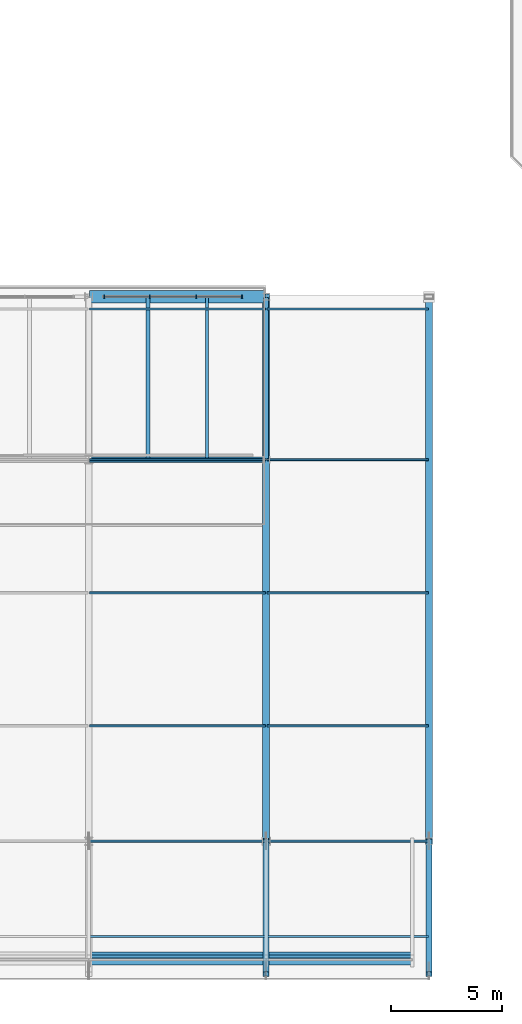
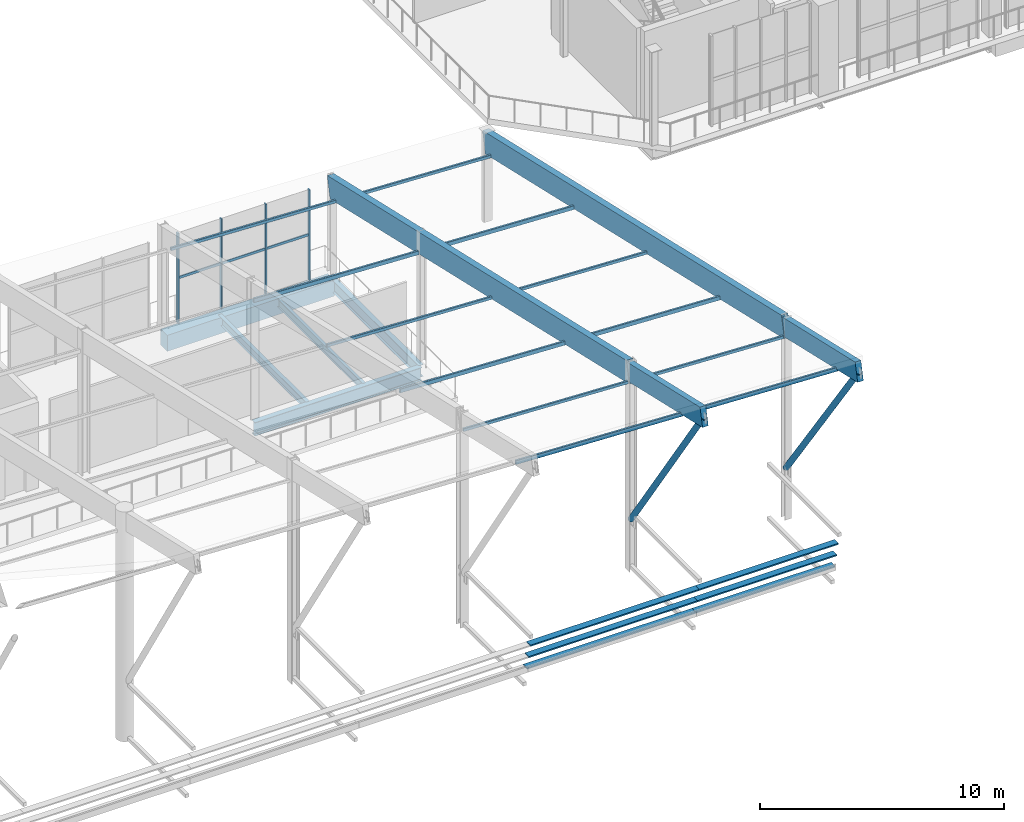
# One storey, part 16 of 51: 27 members, 9 beams, 1 element without a shape of its own.
"""IFC4 building model written with IfcOpenShell, lengths in metres."""

from ifc_helpers import new_model, si_unit, direction, frame, origin, origin_2d, place, context, subcontext, project, spatial, rectangle, hollow_rectangle, hollow_circle, i_section, extrude, material, material_profile, profile_set, type_object, element, aggregate, save


model = new_model("IFC4")

# Units and contexts
model_context = context("Model", 3, precision=1e-05, world=origin(), true_north=direction((0.0, 1.0)))
body_context = subcontext(model_context, "Body", "Model", "MODEL_VIEW")
ifc_project = project(units=[si_unit("LENGTHUNIT", "METRE"), si_unit("AREAUNIT", "SQUARE_METRE"), si_unit("VOLUMEUNIT", "CUBIC_METRE"), si_unit("PLANEANGLEUNIT", "RADIAN"), si_unit("MASSUNIT", "GRAM", prefix="KILO")], contexts=[model_context])

# Site, building, storey
site_placement = place(None, origin())
site = spatial("IfcSite", under=ifc_project, at=site_placement, CompositionType="ELEMENT")
building_placement = place(site_placement, origin())
building = spatial("IfcBuilding", under=site, at=building_placement, Name="Brisemont Oceanarium", CompositionType="ELEMENT")
storey_placement = place(building_placement, frame((0.0, 0.0, 15.0)))
storey = spatial("IfcBuildingStorey", under=building, at=storey_placement, Name="L03", CompositionType="ELEMENT", Elevation=15.0)

# Beams
ifc_material_1 = material(Name="Glulam Timber 24F-V4 DF", Category="wood")
ifc_material_profile_1 = material_profile(ifc_material_1, rectangle(XDim=0.27294921875, YDim=0.9140625, at=origin_2d()), Name="GL-273X914")
ifc_profile_set_1 = profile_set([ifc_material_profile_1], Name="Glulam Timber 24F-V4 DF")
beam_type_1 = type_object("IfcBeamType", Name="BM-GL273X914", PredefinedType="BEAM", material=ifc_profile_set_1)
for number, where, z_axis, x_axis, name in (
    (1, (48.0, 0.800048828125, 11.27490234375), (0.0, 0.974792736312, -0.223112351146), (-1.0, 0.0, 0.0), "V2 upswept hall cantilevered prow rafter 6"),
    (2, (55.35009765625, 0.800048828125, 10.9609375), (0.0, 0.974784109113, -0.223150040603), (-1.0, 0.0, 0.0), "V2 upswept hall cantilevered prow rafter 7"),
):
    element("IfcBeam", number, at=place(storey_placement, frame(where, z_axis=z_axis, x_axis=x_axis)), inside=storey, type_object=beam_type_1, Name=name, PredefinedType="BEAM", context=body_context, shape_type="SweptSolid", body=[
        extrude(rectangle(XDim=0.27294921875, YDim=0.9140625, at=origin_2d()), origin(), (0.0, 0.0, 1.0), 6.1552734375),
    ])
ifc_material_2 = material(Name="Glulam Timber 24F-V4 DF", Category="wood")
ifc_material_profile_2 = material_profile(ifc_material_2, rectangle(XDim=0.31103515625, YDim=1.06689453125, at=origin_2d()), Name="GL-311X1067")
ifc_profile_set_2 = profile_set([ifc_material_profile_2], Name="Glulam Timber 24F-V4 DF")
beam_type_2 = type_object("IfcBeamType", Name="BM-GL311X1067", PredefinedType="BEAM", material=ifc_profile_set_2)
for number, where, z_axis, x_axis, name in (
    (3, (48.0, 6.800048828125, 9.901611328125), (0.0, 0.974789933818, -0.223124595072), (-1.0, 0.0, 0.0), "V2 upswept hall exposed glulam main rafter 6"),
    (4, (55.35009765625, 6.800048828125, 9.58740234375), (0.0, 0.974789933818, -0.223124595072), (-1.0, 0.0, 0.0), "V2 upswept hall exposed glulam main rafter 7"),
):
    element("IfcBeam", number, at=place(storey_placement, frame(where, z_axis=z_axis, x_axis=x_axis)), inside=storey, type_object=beam_type_2, Name=name, PredefinedType="BEAM", context=body_context, shape_type="SweptSolid", body=[
        extrude(rectangle(XDim=0.31103515625, YDim=1.06689453125, at=origin_2d()), origin(), (0.0, 0.0, 1.0), 25.18505859375),
    ])
ifc_material_3 = material(Name="Concrete C40/50", Category="concrete")
ifc_material_profile_3 = material_profile(ifc_material_3, rectangle(XDim=0.550048828125, YDim=0.800048828125, at=origin_2d()), Name="RC-BM-550X800")
ifc_profile_set_3 = profile_set([ifc_material_profile_3], Name="Concrete C40/50")
beam_type_3 = type_object("IfcBeamType", Name="BM-RC550X800", PredefinedType="SPANDREL", material=ifc_profile_set_3)
beam_1_placement = place(storey_placement, frame((40.0400390625, 31.35009765625, -0.639892578125), z_axis=(1.0, 0.0, 0.0), x_axis=(0.0, 1.0, 0.0)))
element("IfcBeam", 5, at=beam_1_placement, inside=storey, type_object=beam_type_3, Name="V2 L03 EW girder", PredefinedType="SPANDREL", context=body_context, shape_type="SweptSolid", body=[
    extrude(rectangle(XDim=0.550048828125, YDim=0.800048828125, at=origin_2d()), origin(), (0.0, 0.0, 1.0), 7.919921875),
])
ifc_material_4 = material(Name="Structural Steel ASTM A992 Gr.50", Category="steel")
ifc_material_profile_4 = material_profile(ifc_material_4, i_section(OverallWidth=0.139892578125, OverallDepth=0.39892578125, WebThickness=0.00634765625, FlangeThickness=0.0087890625, FilletRadius=0.010009765625, at=origin_2d()), Name="W16X26")
ifc_profile_set_4 = profile_set([ifc_material_profile_4], Name="Structural Steel ASTM A992 Gr.50")
beam_type_4 = type_object("IfcBeamType", Name="BM-W16X26", PredefinedType="JOIST", material=ifc_profile_set_4)
beam_2_placement = place(storey_placement, frame((45.333251953125, 24.090087890625, -0.439453125), z_axis=(0.0, 1.0, 0.0), x_axis=(-1.0, 0.0, 0.0)))
element("IfcBeam", 6, at=beam_2_placement, inside=storey, type_object=beam_type_4, Name="V2 L03 secondary floor beam", PredefinedType="JOIST", context=body_context, shape_type="SweptSolid", body=[
    extrude(i_section(OverallWidth=0.139892578125, OverallDepth=0.39892578125, WebThickness=0.00634765625, FlangeThickness=0.0087890625, FilletRadius=0.010009765625, at=origin_2d()), origin(), (0.0, 0.0, 1.0), 7.219970703125),
])
ifc_material_5 = material(Name="Structural Steel ASTM A992 Gr.50", Category="steel")
ifc_material_profile_5 = material_profile(ifc_material_5, i_section(OverallWidth=0.177978515625, OverallDepth=0.404052734375, WebThickness=0.007568359375, FlangeThickness=0.010986328125, FilletRadius=0.010009765625, at=origin_2d()), Name="W16X36")
ifc_profile_set_5 = profile_set([ifc_material_profile_5], Name="Structural Steel ASTM A992 Gr.50")
beam_type_5 = type_object("IfcBeamType", Name="BM-W16X36", PredefinedType="JOIST", material=ifc_profile_set_5)
beam_3_placement = place(storey_placement, frame((42.666748046875, 24.090087890625, -0.44189453125), z_axis=(0.0, 1.0, 0.0), x_axis=(-1.0, 0.0, 0.0)))
element("IfcBeam", 7, at=beam_3_placement, inside=storey, type_object=beam_type_5, Name="V2 L03 secondary floor beam", PredefinedType="JOIST", context=body_context, shape_type="SweptSolid", body=[
    extrude(i_section(OverallWidth=0.177978515625, OverallDepth=0.404052734375, WebThickness=0.007568359375, FlangeThickness=0.010986328125, FilletRadius=0.010009765625, at=origin_2d()), origin(), (0.0, 0.0, 1.0), 7.219970703125),
])
ifc_material_6 = material(Name="Structural Steel ASTM A992 Gr.50", Category="steel")
ifc_material_profile_6 = material_profile(ifc_material_6, i_section(OverallWidth=0.22802734375, OverallDepth=0.60791015625, WebThickness=0.01123046875, FlangeThickness=0.017333984375, FilletRadius=0.012939453125, at=origin_2d()), Name="W24X76")
ifc_profile_set_6 = profile_set([ifc_material_profile_6], Name="Structural Steel ASTM A992 Gr.50")
beam_type_6 = type_object("IfcBeamType", Name="BM-W24X76", PredefinedType="BEAM", material=ifc_profile_set_6)
beam_4_placement = place(storey_placement, frame((48.0, 24.0400390625, -0.5439453125), z_axis=(0.0, 1.0, 0.0), x_axis=(-1.0, 0.0, 0.0)))
element("IfcBeam", 8, at=beam_4_placement, inside=storey, type_object=beam_type_6, Name="V2 L03 NS girder", PredefinedType="BEAM", context=body_context, shape_type="SweptSolid", body=[
    extrude(i_section(OverallWidth=0.22802734375, OverallDepth=0.60791015625, WebThickness=0.01123046875, FlangeThickness=0.017333984375, FilletRadius=0.012939453125, at=origin_2d()), origin(), (0.0, 0.0, 1.0), 7.27001953125),
])
ifc_material_7 = material(Name="Structural Steel ASTM A992 Gr.50", Category="steel")
ifc_material_profile_7 = material_profile(ifc_material_7, i_section(OverallWidth=0.25390625, OverallDepth=0.68310546875, WebThickness=0.012451171875, FlangeThickness=0.018798828125, FilletRadius=0.014892578125, at=origin_2d()), Name="W27X94")
ifc_profile_set_7 = profile_set([ifc_material_profile_7], Name="Structural Steel ASTM A992 Gr.50")
beam_type_7 = type_object("IfcBeamType", Name="BM-W27X94", PredefinedType="BEAM", material=ifc_profile_set_7)
beam_5_placement = place(storey_placement, frame((40.0400390625, 24.0, -0.58154296875), z_axis=(1.0, 0.0, 0.0), x_axis=(0.0, 1.0, 0.0)))
element("IfcBeam", 9, at=beam_5_placement, inside=storey, type_object=beam_type_7, Name="V2 L03 EW girder", PredefinedType="BEAM", context=body_context, shape_type="SweptSolid", body=[
    extrude(i_section(OverallWidth=0.25390625, OverallDepth=0.68310546875, WebThickness=0.012451171875, FlangeThickness=0.018798828125, FilletRadius=0.014892578125, at=origin_2d()), origin(), (0.0, 0.0, 1.0), 7.919921875),
])

# Curtain wall, members
ifc_material_8 = material(Name="Anodized Extruded Aluminum 6063-T6", Category="aluminium")
curtain_wall_type = type_object("IfcCurtainWallType", Name="CW-CLR-58X36", PredefinedType="NOTDEFINED", material=ifc_material_8)
curtain_wall_placement = place(storey_placement, origin())
curtain_wall = element("IfcCurtainWall", 10, at=curtain_wall_placement, inside=storey, type_object=curtain_wall_type, Name="CW-21 curtain wall CW-V2-N-L03-04", PredefinedType="NOTDEFINED")
ifc_material_9 = material(Name="Anodized Extruded Aluminum 6063-T6", Category="aluminium")
ifc_material_profile_8 = material_profile(ifc_material_9, rectangle(XDim=0.06005859375, YDim=0.14990234375, at=origin_2d()), Name="CWM-60X150")
ifc_profile_set_8 = profile_set([ifc_material_profile_8], Name="Anodized Extruded Aluminum 6063-T6")
member_type_1 = type_object("IfcMemberType", Name="MEM-CWM-60", PredefinedType="MULLION", material=ifc_profile_set_8)
member_1_placement = place(storey_placement, frame((40.695068359375, 31.35009765625, 0.0), z_axis=(0.0, 0.0, 1.0), x_axis=(1.0, 0.0, 0.0)))
member_1 = element("IfcMember", 11, at=member_1_placement, type_object=member_type_1, Name="CW-V2-N-L03-04 mullion 1", PredefinedType="MULLION", context=body_context, shape_type="SweptSolid", body=[
    extrude(rectangle(XDim=0.06005859375, YDim=0.14990234375, at=origin_2d()), origin(), (0.0, 0.0, 1.0), 4.52001953125),
])
member_2_placement = place(storey_placement, frame((42.75, 31.35009765625, 0.0), z_axis=(0.0, 0.0, 1.0), x_axis=(1.0, 0.0, 0.0)))
member_2 = element("IfcMember", 12, at=member_2_placement, type_object=member_type_1, Name="CW-V2-N-L03-04 mullion 2", PredefinedType="MULLION", context=body_context, shape_type="SweptSolid", body=[
    extrude(rectangle(XDim=0.06005859375, YDim=0.14990234375, at=origin_2d()), origin(), (0.0, 0.0, 1.0), 4.52001953125),
])
member_3_placement = place(storey_placement, frame((44.85009765625, 31.35009765625, 0.0), z_axis=(0.0, 0.0, 1.0), x_axis=(1.0, 0.0, 0.0)))
member_3 = element("IfcMember", 13, at=member_3_placement, type_object=member_type_1, Name="CW-V2-N-L03-04 mullion 3", PredefinedType="MULLION", context=body_context, shape_type="SweptSolid", body=[
    extrude(rectangle(XDim=0.06005859375, YDim=0.14990234375, at=origin_2d()), origin(), (0.0, 0.0, 1.0), 4.52001953125),
])
member_4_placement = place(storey_placement, frame((46.905029296875, 31.35009765625, 0.0), z_axis=(0.0, 0.0, 1.0), x_axis=(1.0, 0.0, 0.0)))
member_4 = element("IfcMember", 14, at=member_4_placement, type_object=member_type_1, Name="CW-V2-N-L03-04 mullion 4", PredefinedType="MULLION", context=body_context, shape_type="SweptSolid", body=[
    extrude(rectangle(XDim=0.06005859375, YDim=0.14990234375, at=origin_2d()), origin(), (0.0, 0.0, 1.0), 4.52001953125),
])
ifc_material_10 = material(Name="Anodized Extruded Aluminum 6063-T6", Category="aluminium")
ifc_material_profile_9 = material_profile(ifc_material_10, rectangle(XDim=0.06005859375, YDim=0.1201171875, at=origin_2d()), Name="CWT-60X120")
ifc_profile_set_9 = profile_set([ifc_material_profile_9], Name="Anodized Extruded Aluminum 6063-T6")
member_type_2 = type_object("IfcMemberType", Name="MEM-CWT-60", PredefinedType="USERDEFINED", material=ifc_profile_set_9)
member_5_placement = place(storey_placement, frame((40.6650390625, 31.35009765625, 2.260009765625), z_axis=(1.0, 0.0, 0.0), x_axis=(0.0, 1.0, 0.0)))
member_5 = element("IfcMember", 15, at=member_5_placement, type_object=member_type_2, Name="CW-V2-N-L03-04 transom 1.1", ObjectType="TRANSOM", PredefinedType="USERDEFINED", context=body_context, shape_type="SweptSolid", body=[
    extrude(rectangle(XDim=0.06005859375, YDim=0.1201171875, at=origin_2d()), origin(), (0.0, 0.0, 1.0), 2.070068359375),
])
member_6_placement = place(storey_placement, frame((42.764892578125, 31.35009765625, 2.260009765625), z_axis=(1.0, 0.0, 0.0), x_axis=(0.0, 1.0, 0.0)))
member_6 = element("IfcMember", 16, at=member_6_placement, type_object=member_type_2, Name="CW-V2-N-L03-04 transom 2.1", ObjectType="TRANSOM", PredefinedType="USERDEFINED", context=body_context, shape_type="SweptSolid", body=[
    extrude(rectangle(XDim=0.06005859375, YDim=0.1201171875, at=origin_2d()), origin(), (0.0, 0.0, 1.0), 2.070068359375),
])
member_7_placement = place(storey_placement, frame((44.864990234375, 31.35009765625, 2.260009765625), z_axis=(1.0, 0.0, 0.0), x_axis=(0.0, 1.0, 0.0)))
member_7 = element("IfcMember", 17, at=member_7_placement, type_object=member_type_2, Name="CW-V2-N-L03-04 transom 3.1", ObjectType="TRANSOM", PredefinedType="USERDEFINED", context=body_context, shape_type="SweptSolid", body=[
    extrude(rectangle(XDim=0.06005859375, YDim=0.1201171875, at=origin_2d()), origin(), (0.0, 0.0, 1.0), 2.070068359375),
])
aggregate(curtain_wall, [member_1, member_2, member_3, member_4, member_5, member_6, member_7])

# Members
ifc_material_11 = material(Name="Architectural Bronze-Anodized Cedar Composite")
ifc_material_profile_10 = material_profile(ifc_material_11, rectangle(XDim=0.320068359375, YDim=0.06494140625, at=origin_2d()), Name="LOUVRE-320X65")
ifc_profile_set_10 = profile_set([ifc_material_profile_10], Name="Architectural Bronze-Anodized Cedar Composite")
member_type_3 = type_object("IfcMemberType", Name="MEM-LV-320", PredefinedType="USERDEFINED", material=ifc_profile_set_10)
for number, where, z_axis, x_axis, name in (
    (18, (40.0, 1.63720703125, 1.030029296875), (1.0, 0.0, 0.0), (0.0, 1.0, 0.0), "V2 stepped horizontal louvre blade T6.5.1"),
    (19, (40.0, 1.505126953125, 1.679931640625), (1.0, 0.0, 0.0), (0.0, 1.0, 0.0), "V2 stepped horizontal louvre blade T6.5.2"),
    (20, (40.0, 1.372802734375, 2.330078125), (1.0, 0.0, 0.0), (0.0, 1.0, 0.0), "V2 stepped horizontal louvre blade T6.5.3"),
):
    element("IfcMember", number, at=place(storey_placement, frame(where, z_axis=z_axis, x_axis=x_axis)), inside=storey, type_object=member_type_3, Name=name, ObjectType="LOUVRE_BLADE", PredefinedType="USERDEFINED", context=body_context, shape_type="SweptSolid", body=[
        extrude(rectangle(XDim=0.320068359375, YDim=0.06494140625, at=origin_2d()), origin(), (0.0, 0.0, 1.0), 8.0),
    ])
for number, where, z_axis, x_axis, name in (
    (21, (48.0, 1.63720703125, 1.030029296875), (1.0, 0.0, 0.0), (0.0, 1.0, 0.0), "V2 stepped horizontal louvre blade T6.6.1"),
    (22, (48.0, 1.505126953125, 1.679931640625), (1.0, 0.0, 0.0), (0.0, 1.0, 0.0), "V2 stepped horizontal louvre blade T6.6.2"),
    (23, (48.0, 1.372802734375, 2.330078125), (1.0, 0.0, 0.0), (0.0, 1.0, 0.0), "V2 stepped horizontal louvre blade T6.6.3"),
):
    element("IfcMember", number, at=place(storey_placement, frame(where, z_axis=z_axis, x_axis=x_axis)), inside=storey, type_object=member_type_3, Name=name, ObjectType="LOUVRE_BLADE", PredefinedType="USERDEFINED", context=body_context, shape_type="SweptSolid", body=[
        extrude(rectangle(XDim=0.320068359375, YDim=0.06494140625, at=origin_2d()), origin(), (0.0, 0.0, 1.0), 6.60009765625),
    ])
ifc_material_12 = material(Name="Structural Steel ASTM A500 Gr.C", Category="steel")
ifc_material_profile_11 = material_profile(ifc_material_12, hollow_rectangle(XDim=0.10205078125, YDim=0.152099609375, WallThickness=0.00732421875, InnerFilletRadius=0.007568359375, OuterFilletRadius=0.014892578125, at=origin_2d()), Name="HSS6X4X5/16")
ifc_profile_set_11 = profile_set([ifc_material_profile_11], Name="Structural Steel ASTM A500 Gr.C")
member_type_4 = type_object("IfcMemberType", Name="MEM-PU-HSS6X4", PredefinedType="PURLIN", material=ifc_profile_set_11)
for number, where, z_axis, x_axis, name in (
    (24, (40.0400390625, 6.800048828125, 9.757080078125), (0.999088533543, 0.0, -0.042686088394), (0.0, 1.0, 0.0), "V2 upswept roof steel purlin 5.2"),
    (25, (40.0400390625, 18.0, 7.193603515625), (0.999087219622, 0.0, -0.042716830259), (0.0, 1.0, 0.0), "V2 upswept roof steel purlin 5.4"),
    (26, (40.0400390625, 30.800048828125, 4.263671875), (0.999088533543, 0.0, -0.042686088394), (0.0, 1.0, 0.0), "V2 upswept roof steel purlin 5.6"),
):
    element("IfcMember", number, at=place(storey_placement, frame(where, z_axis=z_axis, x_axis=x_axis)), inside=storey, type_object=member_type_4, Name=name, PredefinedType="PURLIN", context=body_context, shape_type="SweptSolid", body=[
        extrude(hollow_rectangle(XDim=0.10205078125, YDim=0.152099609375, WallThickness=0.00732421875, InnerFilletRadius=0.007568359375, OuterFilletRadius=0.014892578125, at=origin_2d()), origin(), (0.0, 0.0, 1.0), 7.92724609375),
    ])
for number, where, z_axis, x_axis, name in (
    (27, (48.0400390625, 6.800048828125, 9.415283203125), (0.999088914068, 0.0, -0.042677181097), (0.0, 1.0, 0.0), "V2 upswept roof steel purlin 6.2"),
    (28, (48.0400390625, 18.0, 6.8515625), (0.999088914068, 0.0, -0.042677181097), (0.0, 1.0, 0.0), "V2 upswept roof steel purlin 6.4"),
    (29, (48.0400390625, 30.800048828125, 3.921875), (0.999087482941, 0.0, -0.042710671159), (0.0, 1.0, 0.0), "V2 upswept roof steel purlin 6.6"),
):
    element("IfcMember", number, at=place(storey_placement, frame(where, z_axis=z_axis, x_axis=x_axis)), inside=storey, type_object=member_type_4, Name=name, PredefinedType="PURLIN", context=body_context, shape_type="SweptSolid", body=[
        extrude(hollow_rectangle(XDim=0.10205078125, YDim=0.152099609375, WallThickness=0.00732421875, InnerFilletRadius=0.007568359375, OuterFilletRadius=0.014892578125, at=origin_2d()), origin(), (0.0, 0.0, 1.0), 7.276611328125),
    ])
ifc_material_13 = material(Name="Structural Steel ASTM A500 Gr.C", Category="steel")
ifc_material_profile_12 = material_profile(ifc_material_13, hollow_rectangle(XDim=0.10205078125, YDim=0.202880859375, WallThickness=0.00732421875, InnerFilletRadius=0.007568359375, OuterFilletRadius=0.014892578125, at=origin_2d()), Name="HSS8X4X5/16")
ifc_profile_set_12 = profile_set([ifc_material_profile_12], Name="Structural Steel ASTM A500 Gr.C")
member_type_5 = type_object("IfcMemberType", Name="MEM-PU-HSS8X4", PredefinedType="PURLIN", material=ifc_profile_set_12)
for number, where, z_axis, x_axis, name in (
    (30, (40.0400390625, 2.5, 10.741455078125), (0.999088533543, 0.0, -0.042686088394), (0.0, 1.0, 0.0), "V2 upswept roof steel purlin 5.1"),
    (31, (40.0400390625, 12.0, 8.56689453125), (0.999088533543, 0.0, -0.042686088394), (0.0, 1.0, 0.0), "V2 upswept roof steel purlin 5.3"),
    (32, (40.0400390625, 24.0, 5.820068359375), (0.999088533543, 0.0, -0.042686088394), (0.0, 1.0, 0.0), "V2 upswept roof steel purlin 5.5"),
):
    element("IfcMember", number, at=place(storey_placement, frame(where, z_axis=z_axis, x_axis=x_axis)), inside=storey, type_object=member_type_5, Name=name, PredefinedType="PURLIN", context=body_context, shape_type="SweptSolid", body=[
        extrude(hollow_rectangle(XDim=0.10205078125, YDim=0.202880859375, WallThickness=0.00732421875, InnerFilletRadius=0.007568359375, OuterFilletRadius=0.014892578125, at=origin_2d()), origin(), (0.0, 0.0, 1.0), 7.92724609375),
    ])
for number, where, z_axis, x_axis, name in (
    (33, (48.0400390625, 2.5, 10.399658203125), (0.999087482941, 0.0, -0.042710671159), (0.0, 1.0, 0.0), "V2 upswept roof steel purlin 6.1"),
    (34, (48.0400390625, 12.0, 8.22509765625), (0.999088914068, 0.0, -0.042677181097), (0.0, 1.0, 0.0), "V2 upswept roof steel purlin 6.3"),
    (35, (48.0400390625, 24.0, 5.478271484375), (0.999088914068, 0.0, -0.042677181097), (0.0, 1.0, 0.0), "V2 upswept roof steel purlin 6.5"),
):
    element("IfcMember", number, at=place(storey_placement, frame(where, z_axis=z_axis, x_axis=x_axis)), inside=storey, type_object=member_type_5, Name=name, PredefinedType="PURLIN", context=body_context, shape_type="SweptSolid", body=[
        extrude(hollow_rectangle(XDim=0.10205078125, YDim=0.202880859375, WallThickness=0.00732421875, InnerFilletRadius=0.007568359375, OuterFilletRadius=0.014892578125, at=origin_2d()), origin(), (0.0, 0.0, 1.0), 7.276611328125),
    ])
ifc_material_14 = material(Name="Structural Steel ASTM A500 Gr.C", Category="steel")
ifc_material_profile_13 = material_profile(ifc_material_14, hollow_circle(Radius=0.136474609375, WallThickness=0.01171875, at=origin_2d()), Name="HSS10.750X0.500")
ifc_profile_set_13 = profile_set([ifc_material_profile_13], Name="Structural Steel ASTM A500 Gr.C")
member_type_6 = type_object("IfcMemberType", Name="MEM-ST-CHS10", PredefinedType="STRUT", material=ifc_profile_set_13)
member_8_placement = place(storey_placement, frame((48.0, 6.800048828125, 2.5), z_axis=(0.0, -0.564028287753, 0.825755466597), x_axis=(1.0, 0.0, 0.0)))
element("IfcMember", 36, at=member_8_placement, inside=storey, type_object=member_type_6, Name="V2 upswept corner overhang diagonal strut 6", PredefinedType="STRUT", context=body_context, shape_type="SweptSolid", body=[
    extrude(hollow_circle(Radius=0.136474609375, WallThickness=0.01171875, at=origin_2d()), origin(), (0.0, 0.0, 1.0), 10.602294921875),
])
member_9_placement = place(storey_placement, frame((55.35009765625, 6.800048828125, 2.5), z_axis=(0.0, -0.578081511732, 0.815979022888), x_axis=(1.0, 0.0, 0.0)))
element("IfcMember", 37, at=member_9_placement, inside=storey, type_object=member_type_6, Name="V2 upswept corner overhang diagonal strut 7", PredefinedType="STRUT", context=body_context, shape_type="SweptSolid", body=[
    extrude(hollow_circle(Radius=0.136474609375, WallThickness=0.01171875, at=origin_2d()), origin(), (0.0, 0.0, 1.0), 10.344482421875),
])

save(model, "model.ifc")
